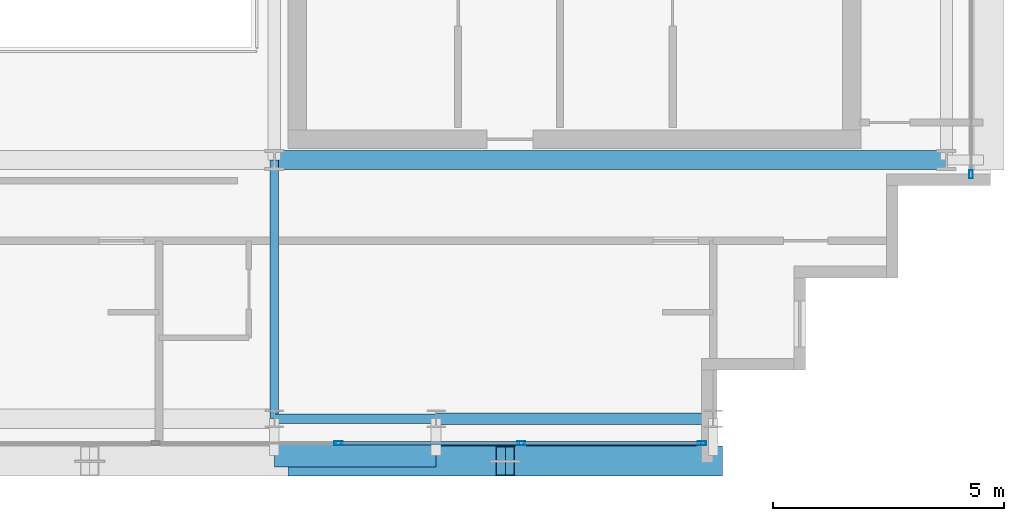
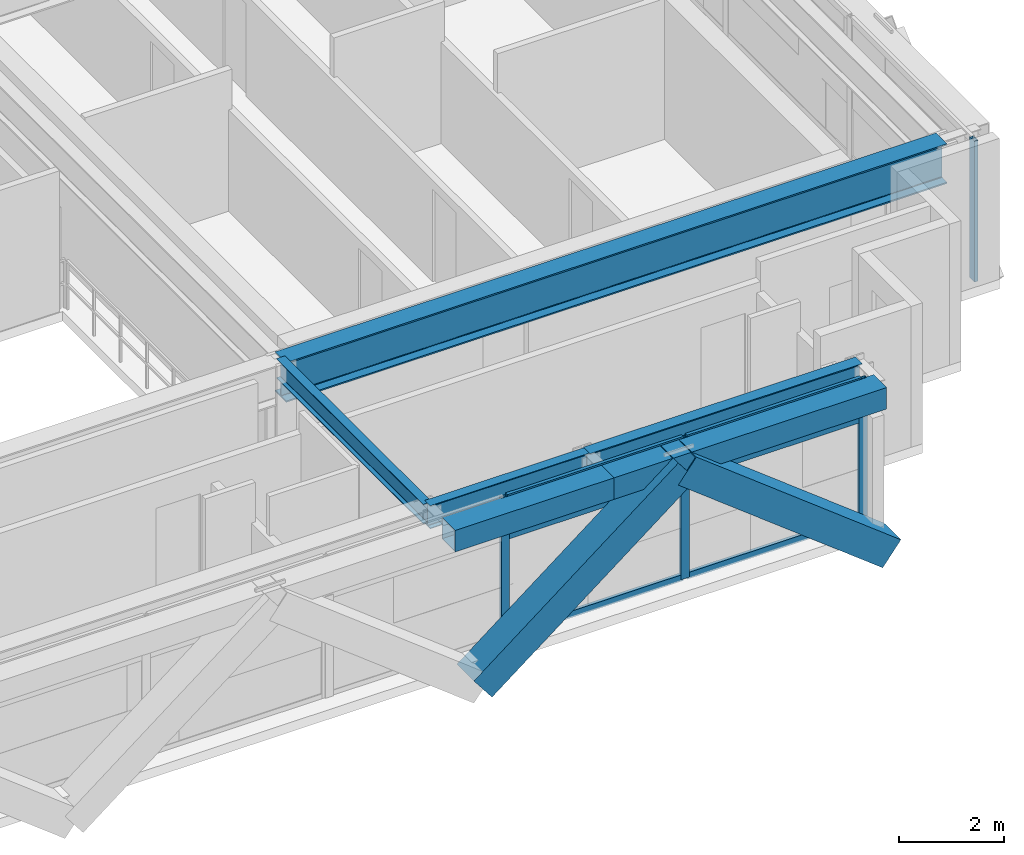
# One storey, part 9 of 28: 12 members, 6 beams, 2 elements without a shape of their own.
"""IFC4 building model written with IfcOpenShell, lengths in metres."""

import ifcopenshell
import ifcopenshell.guid

model = None  # the IFC model being written
_history = None  # IfcOwnerHistory: only IFC2X3 demands one
_inside = {}  # id of a spatial element -> (the spatial element, [elements in it])
_under = {}  # id of a project, library or spatial element -> (it, [spatial elements below it])
_declared = {}  # id of a project -> (the project, [libraries it declares])
_typed = {}  # id of a type object -> (the type object, [elements of that type])
_made_of = {}  # id of a material, layer set ... -> (it, [elements and type objects made of it])


def new_model(schema):
    """Start an empty IFC model of exactly this schema.

    Asked for "IFC4X3", IfcOpenShell would pick the latest addendum, in which some entities
    have other attributes; the version numbers below select the first issue.
    IFC2X3 requires an IfcOwnerHistory on every rooted entity: one is made here for all.
    """
    global model, _history
    if schema == "IFC4X3":
        model = ifcopenshell.file(schema_version=(4, 3, 0, 0))
    else:
        model = ifcopenshell.file(schema=schema)
    _inside.clear()
    _under.clear()
    _declared.clear()
    _typed.clear()
    _made_of.clear()
    _history = None
    if model.schema == "IFC2X3":
        org = make("IfcOrganization", Name="unknown")
        user = make(
            "IfcPersonAndOrganization",
            ThePerson=make("IfcPerson", FamilyName="unknown"),
            TheOrganization=org,
        )
        app = make(
            "IfcApplication",
            ApplicationDeveloper=org,
            Version="unknown",
            ApplicationFullName="unknown",
            ApplicationIdentifier="unknown",
        )
        _history = make(
            "IfcOwnerHistory",
            OwningUser=user,
            OwningApplication=app,
            ChangeAction="ADDED",
            CreationDate=0,
        )
    return model


def make(cls, **values):
    """One entity of the class cls with the attributes given. An attribute that is None is left unset."""
    return model.create_entity(
        cls, **{name: value for name, value in values.items() if value is not None}
    )


def rooted(cls, **values):
    """An entity with a GlobalId (a new one), such as an element, a storey or a relation."""
    return make(cls, GlobalId=ifcopenshell.guid.new(), OwnerHistory=_history, **values)


def si_unit(unit_type, name, prefix=None):
    """IfcSIUnit, for example si_unit("LENGTHUNIT", "METRE", prefix="MILLI")."""
    return make("IfcSIUnit", UnitType=unit_type, Prefix=prefix, Name=name)


def assignment(units):
    """IfcUnitAssignment: the units of a project."""
    return None if units is None else make("IfcUnitAssignment", Units=units)


def point(xyz):
    """IfcCartesianPoint."""
    return None if xyz is None else make("IfcCartesianPoint", Coordinates=xyz)


def direction(xyz):
    """IfcDirection."""
    return None if xyz is None else make("IfcDirection", DirectionRatios=xyz)


def frame(location, z_axis=None, x_axis=None):
    """IfcAxis2Placement3D, a coordinate frame: its origin and axes. An axis left out is left unset."""
    return make(
        "IfcAxis2Placement3D",
        Location=point(location),
        Axis=direction(z_axis),
        RefDirection=direction(x_axis),
    )


def frame_2d(location, x_axis=None):
    """IfcAxis2Placement2D, a coordinate frame in the plane: its origin and x axis."""
    return make(
        "IfcAxis2Placement2D", Location=point(location), RefDirection=direction(x_axis)
    )


def origin():
    """The frame at (0, 0, 0) with its axes left unset."""
    return frame((0.0, 0.0, 0.0))


def origin_2d():
    """The frame at (0, 0) in the plane with its x axis left unset."""
    return frame_2d((0.0, 0.0))


def place(relative_to, where):
    """IfcLocalPlacement: puts the frame where relative to a parent placement (None: the world)."""
    return make(
        "IfcLocalPlacement", PlacementRelTo=relative_to, RelativePlacement=where
    )


def context(
    kind, dimensions, precision=None, world=None, true_north=None, identifier=None
):
    """IfcGeometricRepresentationContext, for example the 3D "Model" context."""
    return make(
        "IfcGeometricRepresentationContext",
        ContextIdentifier=identifier,
        ContextType=kind,
        CoordinateSpaceDimension=dimensions,
        Precision=precision,
        WorldCoordinateSystem=world,
        TrueNorth=true_north,
    )


def subcontext(parent, identifier, kind, view, scale=None):
    """IfcGeometricRepresentationSubContext, for example "Body" below "Model"."""
    return make(
        "IfcGeometricRepresentationSubContext",
        ContextIdentifier=identifier,
        ContextType=kind,
        ParentContext=parent,
        TargetScale=scale,
        TargetView=view,
    )


def project(units=None, contexts=None):
    """IfcProject with its units and contexts."""
    return rooted(
        "IfcProject",
        Name="project",
        RepresentationContexts=contexts,
        UnitsInContext=assignment(units),
    )


def spatial(cls, under=None, at=None, **own):
    """A site, building, storey or space (cls), placed at a placement, below another one or the project."""
    s = rooted(cls, ObjectPlacement=at, **own)
    if under is not None:
        _under.setdefault(under.id(), (under, []))[1].append(s)
    return s


def profile(cls, at=None, kind="AREA", **sizes):
    """A parametric profile (cls). Its sizes go by their IFC names, for example OverallWidth=200.0."""
    return make(cls, ProfileType=kind, Position=at, **sizes)


def hollow_rectangle(**sizes):
    """IfcRectangleHollowProfileDef."""
    return profile("IfcRectangleHollowProfileDef", **sizes)


def i_section(**sizes):
    """IfcIShapeProfileDef."""
    return profile("IfcIShapeProfileDef", **sizes)


def extrude(swept, where, along, depth):
    """IfcExtrudedAreaSolid: the profile swept, set in the frame where, extruded along a direction by depth."""
    return make(
        "IfcExtrudedAreaSolid",
        SweptArea=swept,
        Position=where,
        ExtrudedDirection=direction(along),
        Depth=depth,
    )


def shape(context_of_items, identifier, shape_type, items):
    """IfcShapeRepresentation: the items that make up one representation, for example the "Body"."""
    return make(
        "IfcShapeRepresentation",
        ContextOfItems=context_of_items,
        RepresentationIdentifier=identifier,
        RepresentationType=shape_type,
        Items=items,
    )


def source(mapping_origin, context_of_items, identifier, shape_type, items):
    """IfcRepresentationMap: a shape defined once, which mapped items show again and again."""
    return make(
        "IfcRepresentationMap",
        MappingOrigin=mapping_origin,
        MappedRepresentation=shape(context_of_items, identifier, shape_type, items),
    )


def transform(
    local_origin,
    x_axis=None,
    y_axis=None,
    z_axis=None,
    scale=None,
    scale2=None,
    scale3=None,
    uniform=True,
):
    """IfcCartesianTransformationOperator3D, or its non-uniform kind. x_axis, y_axis, z_axis: its Axis1, 2, 3."""
    if uniform:
        return make(
            "IfcCartesianTransformationOperator3D",
            Axis1=direction(x_axis),
            Axis2=direction(y_axis),
            LocalOrigin=point(local_origin),
            Scale=scale,
            Axis3=direction(z_axis),
        )
    return make(
        "IfcCartesianTransformationOperator3DnonUniform",
        Axis1=direction(x_axis),
        Axis2=direction(y_axis),
        LocalOrigin=point(local_origin),
        Scale=scale,
        Axis3=direction(z_axis),
        Scale2=scale2,
        Scale3=scale3,
    )


def mapped(mapping_source, mapping_target):
    """IfcMappedItem: shows the shape of a source again, moved by a transform."""
    return make(
        "IfcMappedItem", MappingSource=mapping_source, MappingTarget=mapping_target
    )


def material(Name=None, Category=None):
    """IfcMaterial."""
    return make("IfcMaterial", Name=Name, Category=Category)


def layer(
    of_material, thickness, ventilated=None, Name=None, Category=None, Priority=None
):
    """IfcMaterialLayer: one layer of a wall or slab, of a material (None: an air gap)."""
    return make(
        "IfcMaterialLayer",
        Material=of_material,
        LayerThickness=thickness,
        IsVentilated=ventilated,
        Name=Name,
        Category=Category,
        Priority=Priority,
    )


def layer_set(layers, Name=None):
    """IfcMaterialLayerSet."""
    return make("IfcMaterialLayerSet", MaterialLayers=layers, LayerSetName=Name)


def material_profile(
    of_material, cross_section, Name=None, Category=None, Priority=None
):
    """IfcMaterialProfile: a cross section and its material."""
    return make(
        "IfcMaterialProfile",
        Name=Name,
        Material=of_material,
        Profile=cross_section,
        Priority=Priority,
        Category=Category,
    )


def profile_set(profiles, Name=None, composite=None):
    """IfcMaterialProfileSet."""
    return make(
        "IfcMaterialProfileSet",
        Name=Name,
        MaterialProfiles=profiles,
        CompositeProfile=composite,
    )


def made_of(thing, what):
    """Note that an element or type object is made of a material, layer set ...; save() writes the relation."""
    if what is not None:
        _made_of.setdefault(what.id(), (what, []))[1].append(thing)
    return thing


def type_object(cls, material=None, **own):
    """A type object (cls), such as IfcWallType, which elements share."""
    return made_of(rooted(cls, **own), material)


def element(
    cls,
    number,
    at=None,
    inside=None,
    cuts=None,
    type_object=None,
    material=None,
    context=None,
    identifier="Body",
    shape_type=None,
    held_by="IfcProductDefinitionShape",
    body=None,
    shapes=None,
    **own,
):
    """One element of the class cls, such as IfcWall. Its Tag is "e" and its number.

    at: its placement. inside: the storey or other place that contains it. cuts: it is an
    opening in that element (IfcRelVoidsElement). A single representation is given by context,
    identifier, shape_type and body (its items); several are given by shapes. held_by: the class
    of the entity that holds the representations. save() writes the other relations.
    """
    e = rooted(cls, Tag="e%d" % number, ObjectPlacement=at, **own)
    if body is not None:
        shapes = [shape(context, identifier, shape_type, body)]
    if shapes is not None:
        e.Representation = make(held_by, Representations=shapes)
    if inside is not None:
        _inside.setdefault(inside.id(), (inside, []))[1].append(e)
    if cuts is not None:
        rooted(
            "IfcRelVoidsElement", RelatingBuildingElement=cuts, RelatedOpeningElement=e
        )
    if type_object is not None:
        _typed.setdefault(type_object.id(), (type_object, []))[1].append(e)
    return made_of(e, material)


def aggregate(whole, parts):
    """IfcRelAggregates: a whole, such as a stair, and the parts it consists of."""
    return rooted("IfcRelAggregates", RelatingObject=whole, RelatedObjects=parts)


def save(model, path):
    """Write the relations noted so far, then the file.

    IfcRelAggregates (storeys below a building ...), IfcRelContainedInSpatialStructure (elements
    in a storey), IfcRelDefinesByType, IfcRelAssociatesMaterial and IfcRelDeclares: one each for
    every whole, place, type object, material and project.
    """
    for whole, parts in _under.values():
        aggregate(whole, parts)
    for where, things in _inside.values():
        rooted(
            "IfcRelContainedInSpatialStructure",
            RelatedElements=things,
            RelatingStructure=where,
        )
    for kind, things in _typed.values():
        rooted("IfcRelDefinesByType", RelatedObjects=things, RelatingType=kind)
    for what, things in _made_of.values():
        rooted("IfcRelAssociatesMaterial", RelatedObjects=things, RelatingMaterial=what)
    for by, libraries in _declared.values():
        rooted("IfcRelDeclares", RelatingContext=by, RelatedDefinitions=libraries)
    model.write(path)


model = new_model("IFC4")

# Units and contexts
model_context = context("Model", 3, precision=1e-05, world=origin(), true_north=direction((0.0, 1.0)))
body_context = subcontext(model_context, "Body", "Model", "MODEL_VIEW")
ifc_project = project(units=[si_unit("LENGTHUNIT", "METRE"), si_unit("AREAUNIT", "SQUARE_METRE"), si_unit("VOLUMEUNIT", "CUBIC_METRE"), si_unit("PLANEANGLEUNIT", "RADIAN"), si_unit("MASSUNIT", "GRAM", prefix="KILO")], contexts=[model_context])

# Site, building, storey
site_placement = place(None, origin())
site = spatial("IfcSite", under=ifc_project, at=site_placement, CompositionType="ELEMENT")
building_placement = place(site_placement, origin())
building = spatial("IfcBuilding", under=site, at=building_placement, Name="Ocotamira Hotel", CompositionType="ELEMENT")
storey_placement = place(building_placement, frame((0.0, 0.0, 243.60009765625)))
storey = spatial("IfcBuildingStorey", under=building, at=storey_placement, Name="L61", CompositionType="ELEMENT", Elevation=243.60009765625)

# Beams
ifc_material_1 = material(Name="Steel ASTM A992 Grade 50", Category="steel")
ifc_material_profile_1 = material_profile(ifc_material_1, i_section(OverallWidth=0.41796875, OverallDepth=0.927001953125, WebThickness=0.019287109375, FlangeThickness=0.031982421875, FilletRadius=0.02392578125, at=origin_2d()), Name="W36X231")
ifc_profile_set_1 = profile_set([ifc_material_profile_1], Name="Steel ASTM A992 Grade 50")
beam_type_1 = type_object("IfcBeamType", Name="BM-GIRD-W36X231", PredefinedType="BEAM", material=ifc_profile_set_1)
shared_shape_1 = source(origin(), body_context, "Body", "SweptSolid", [
    extrude(i_section(OverallWidth=0.41796875, OverallDepth=0.927001953125, WebThickness=0.019287109375, FlangeThickness=0.031982421875, FilletRadius=0.02392578125, at=origin_2d()), origin(), (0.0, 0.0, 1.0), 14.550048828125),
])
beam_1_placement = place(storey_placement, frame((40.5, 14.550048828125, 2.81640625), z_axis=(1.0, 0.0, 0.0), x_axis=(0.0, 1.0, 0.0)))
element("IfcBeam", 1, at=beam_1_placement, inside=storey, type_object=beam_type_1, Name="L61 Girder Y14.55 X40.5-55.05", PredefinedType="BEAM", context=body_context, shape_type="MappedRepresentation", body=[
    mapped(shared_shape_1, transform((0.0, 0.0, 0.0), scale=1.0)),
])
ifc_material_profile_2 = material_profile(ifc_material_1, i_section(OverallWidth=0.256103515625, OverallDepth=0.693115234375, WebThickness=0.014404296875, FlangeThickness=0.023681640625, FilletRadius=0.01611328125, at=origin_2d()), Name="W27X114")
ifc_profile_set_2 = profile_set([ifc_material_profile_2], Name="Steel ASTM A992 Grade 50")
beam_type_2 = type_object("IfcBeamType", Name="BM-PRIM-W27X114", PredefinedType="BEAM", material=ifc_profile_set_2)
shared_shape_2 = source(origin(), body_context, "Body", "SweptSolid", [
    extrude(i_section(OverallWidth=0.256103515625, OverallDepth=0.693115234375, WebThickness=0.014404296875, FlangeThickness=0.023681640625, FilletRadius=0.01611328125, at=origin_2d()), origin(), (0.0, 0.0, 1.0), 6.0),
])
beam_2_placement = place(storey_placement, frame((44.0, 8.949951171875, 2.933349609375), z_axis=(1.0, 0.0, 0.0), x_axis=(0.0, 1.0, 0.0)))
element("IfcBeam", 2, at=beam_2_placement, inside=storey, type_object=beam_type_2, Name="L61 Girder Y8.95 X44-50", PredefinedType="BEAM", context=body_context, shape_type="MappedRepresentation", body=[
    mapped(shared_shape_2, transform((0.0, 0.0, 0.0), scale=1.0)),
])
ifc_material_profile_3 = material_profile(ifc_material_1, i_section(OverallWidth=0.2099609375, OverallDepth=0.537109375, WebThickness=0.010986328125, FlangeThickness=0.017333984375, FilletRadius=0.012939453125, at=origin_2d()), Name="W21X68")
ifc_profile_set_3 = profile_set([ifc_material_profile_3], Name="Steel ASTM A992 Grade 50")
beam_type_3 = type_object("IfcBeamType", Name="BM-SEC-W21X68", PredefinedType="JOIST", material=ifc_profile_set_3)
shared_shape_3 = source(origin(), body_context, "Body", "SweptSolid", [
    extrude(i_section(OverallWidth=0.2099609375, OverallDepth=0.537109375, WebThickness=0.010986328125, FlangeThickness=0.017333984375, FilletRadius=0.012939453125, at=origin_2d()), origin(), (0.0, 0.0, 1.0), 3.5),
])
beam_3_placement = place(storey_placement, frame((40.5, 8.949951171875, 3.011474609375), z_axis=(1.0, 0.0, 0.0), x_axis=(0.0, 1.0, 0.0)))
element("IfcBeam", 3, at=beam_3_placement, inside=storey, type_object=beam_type_3, Name="L61 Girder Y8.95 X40.5-44", PredefinedType="JOIST", context=body_context, shape_type="MappedRepresentation", body=[
    mapped(shared_shape_3, transform((0.0, 0.0, 0.0), scale=1.0)),
])
ifc_material_2 = material(Name="Steel ASTM A500 Grade C", Category="steel")
ifc_material_profile_4 = material_profile(ifc_material_2, hollow_rectangle(XDim=0.5, YDim=0.5, WallThickness=0.02001953125, at=origin_2d()), Name="HSS500X500X20")
ifc_profile_set_4 = profile_set([ifc_material_profile_4], Name="Steel ASTM A500 Grade C")
beam_type_4 = type_object("IfcBeamType", Name="BM-SPAN-HSS500", PredefinedType="USERDEFINED", material=ifc_profile_set_4)
shared_shape_4 = source(origin(), body_context, "Body", "SweptSolid", [
    extrude(hollow_rectangle(XDim=0.5, YDim=0.5, WallThickness=0.02001953125, at=origin_2d()), origin(), (0.0, 0.0, 1.0), 6.0),
])
beam_4_placement = place(storey_placement, frame((44.0, 8.14990234375, 3.02978515625), z_axis=(1.0, 0.0, 0.0), x_axis=(0.0, 1.0, 0.0)))
element("IfcBeam", 4, at=beam_4_placement, inside=storey, type_object=beam_type_4, Name="L61 Edge Spandrel S X44-50", ObjectType="SPANDREL", PredefinedType="USERDEFINED", context=body_context, shape_type="MappedRepresentation", body=[
    mapped(shared_shape_4, transform((0.0, 0.0, 0.0), scale=1.0)),
])
shared_shape_5 = source(origin(), body_context, "Body", "SweptSolid", [
    extrude(hollow_rectangle(XDim=0.5, YDim=0.5, WallThickness=0.02001953125, at=origin_2d()), origin(), (0.0, 0.0, 1.0), 3.5),
])
beam_5_placement = place(storey_placement, frame((40.5, 8.14990234375, 3.02978515625), z_axis=(1.0, 0.0, 0.0), x_axis=(0.0, 1.0, 0.0)))
element("IfcBeam", 5, at=beam_5_placement, inside=storey, type_object=beam_type_4, Name="L61 Edge Spandrel S X40.5-44", ObjectType="SPANDREL", PredefinedType="USERDEFINED", context=body_context, shape_type="MappedRepresentation", body=[
    mapped(shared_shape_5, transform((0.0, 0.0, 0.0), scale=1.0)),
])
ifc_material_profile_5 = material_profile(ifc_material_1, i_section(OverallWidth=0.18994140625, OverallDepth=0.45703125, WebThickness=0.009033203125, FlangeThickness=0.014404296875, FilletRadius=0.010009765625, at=origin_2d()), Name="W18X50")
ifc_profile_set_5 = profile_set([ifc_material_profile_5], Name="Steel ASTM A992 Grade 50")
beam_type_5 = type_object("IfcBeamType", Name="BM-SEC-W18X50", PredefinedType="JOIST", material=ifc_profile_set_5)
shared_shape_6 = source(origin(), body_context, "Body", "SweptSolid", [
    extrude(i_section(OverallWidth=0.18994140625, OverallDepth=0.45703125, WebThickness=0.009033203125, FlangeThickness=0.014404296875, FilletRadius=0.010009765625, at=origin_2d()), origin(), (0.0, 0.0, 1.0), 5.60009765625),
])
beam_6_placement = place(storey_placement, frame((40.5, 8.949951171875, 3.051513671875), z_axis=(0.0, 1.0, 0.0), x_axis=(-1.0, 0.0, 0.0)))
element("IfcBeam", 6, at=beam_6_placement, inside=storey, type_object=beam_type_5, Name="L61 Beam X40.5 Y8.95-14.55", PredefinedType="JOIST", context=body_context, shape_type="MappedRepresentation", body=[
    mapped(shared_shape_6, transform((0.0, 0.0, 0.0), scale=1.0)),
])

# Members
ifc_material_3 = material(Name="Pale-metal coated steel ASTM A913 Grade 65", Category="steel")
ifc_material_profile_6 = material_profile(ifc_material_3, hollow_rectangle(XDim=0.64990234375, YDim=0.64990234375, WallThickness=0.02197265625, at=origin_2d()), Name="BOX650X650X22")
ifc_profile_set_6 = profile_set([ifc_material_profile_6], Name="Pale-metal coated steel ASTM A913 Grade 65")
member_type_1 = type_object("IfcMemberType", Name="MEM-EXO-BOX650", PredefinedType="BRACE", material=ifc_profile_set_6)
shared_shape_7 = source(origin(), body_context, "Body", "SweptSolid", [
    extrude(hollow_rectangle(XDim=0.64990234375, YDim=0.64990234375, WallThickness=0.02197265625, at=origin_2d()), origin(), (0.0, 0.0, 1.0), 5.700927734375),
])
for number, where, z_axis, x_axis, name in (
    (7, (41.0, 8.030029296875, -0.47021484375), (0.789352217376, 0.0, 0.613940613515), (0.0, 1.0, 0.0), "L61 Exoskeleton Diagrid S3.1"),
    (8, (50.0, 8.030029296875, -0.47021484375), (-0.789352217376, 0.0, 0.613940613515), (0.0, -1.0, 0.0), "L61 Exoskeleton Diagrid S3.2"),
):
    element("IfcMember", number, at=place(storey_placement, frame(where, z_axis=z_axis, x_axis=x_axis)), inside=storey, type_object=member_type_1, Name=name, PredefinedType="BRACE", context=body_context, shape_type="MappedRepresentation", body=[
        mapped(shared_shape_7, transform((0.0, 0.0, 0.0), scale=1.0)),
    ])

# Curtain wall, members
ifc_material_4 = material(Name="Anodised pale-metal aluminium and solar glass", Category="aluminium")
ifc_layer = layer(ifc_material_4, 0.239990234375)
ifc_layer_set = layer_set([ifc_layer], Name="Anodised pale-metal aluminium and solar glass")
curtain_wall_type = type_object("IfcCurtainWallType", Name="CW-SYS5-SKY", PredefinedType="NOTDEFINED", material=ifc_layer_set)
curtain_wall_1_placement = place(storey_placement, origin())
curtain_wall_1 = element("IfcCurtainWall", 9, at=curtain_wall_1_placement, inside=storey, type_object=curtain_wall_type, Name="L61 Curtain Wall CW-5 CW-L61-S1", PredefinedType="NOTDEFINED")
ifc_material_5 = material(Name="Anodised pale-metal aluminium 6063-T6", Category="aluminium")
ifc_material_profile_7 = material_profile(ifc_material_5, hollow_rectangle(XDim=0.074951171875, YDim=0.14990234375, WallThickness=0.006103515625, at=origin_2d()), Name="HSS150X75X6")
ifc_profile_set_7 = profile_set([ifc_material_profile_7], Name="Anodised pale-metal aluminium 6063-T6")
member_type_2 = type_object("IfcMemberType", Name="CWT-150X75", PredefinedType="USERDEFINED", material=ifc_profile_set_7)
shared_shape_8 = source(origin(), body_context, "Body", "SweptSolid", [
    extrude(hollow_rectangle(XDim=0.074951171875, YDim=0.14990234375, WallThickness=0.006103515625, at=origin_2d()), origin(), (0.0, 0.0, 1.0), 3.83544921875),
])
member_1_placement = place(storey_placement, frame((45.884521484375, 8.419921875, 0.037353515625), z_axis=(1.0, 0.0, 0.0), x_axis=(0.0, 1.0, 0.0)))
member_1 = element("IfcMember", 10, at=member_1_placement, type_object=member_type_2, Name="CW-5 transom 9.1", ObjectType="TRANSOM", PredefinedType="USERDEFINED", context=body_context, shape_type="MappedRepresentation", body=[
    mapped(shared_shape_8, transform((0.0, 0.0, 0.0), scale=1.0)),
])
member_2_placement = place(storey_placement, frame((45.884521484375, 8.419921875, 2.349853515625), z_axis=(1.0, 0.0, 0.0), x_axis=(0.0, 1.0, 0.0)))
member_2 = element("IfcMember", 11, at=member_2_placement, type_object=member_type_2, Name="CW-5 transom 9.2", ObjectType="TRANSOM", PredefinedType="USERDEFINED", context=body_context, shape_type="MappedRepresentation", body=[
    mapped(shared_shape_8, transform((0.0, 0.0, 0.0), scale=1.0)),
])
member_3_placement = place(storey_placement, frame((45.884521484375, 8.419921875, 3.242431640625), z_axis=(1.0, 0.0, 0.0), x_axis=(0.0, 1.0, 0.0)))
member_3 = element("IfcMember", 12, at=member_3_placement, type_object=member_type_2, Name="CW-5 transom 9.3", ObjectType="TRANSOM", PredefinedType="USERDEFINED", context=body_context, shape_type="MappedRepresentation", body=[
    mapped(shared_shape_8, transform((0.0, 0.0, 0.0), scale=1.0)),
])
shared_shape_9 = source(origin(), body_context, "Body", "SweptSolid", [
    extrude(hollow_rectangle(XDim=0.074951171875, YDim=0.14990234375, WallThickness=0.006103515625, at=origin_2d()), origin(), (0.0, 0.0, 1.0), 3.87548828125),
])
member_4_placement = place(storey_placement, frame((41.928955078125, 8.419921875, 0.037353515625), z_axis=(1.0, 0.0, 0.0), x_axis=(0.0, 1.0, 0.0)))
member_4 = element("IfcMember", 13, at=member_4_placement, type_object=member_type_2, Name="CW-5 transom 8.1", ObjectType="TRANSOM", PredefinedType="USERDEFINED", context=body_context, shape_type="MappedRepresentation", body=[
    mapped(shared_shape_9, transform((0.0, 0.0, 0.0), scale=1.0)),
])
member_5_placement = place(storey_placement, frame((41.928955078125, 8.419921875, 2.349853515625), z_axis=(1.0, 0.0, 0.0), x_axis=(0.0, 1.0, 0.0)))
member_5 = element("IfcMember", 14, at=member_5_placement, type_object=member_type_2, Name="CW-5 transom 8.2", ObjectType="TRANSOM", PredefinedType="USERDEFINED", context=body_context, shape_type="MappedRepresentation", body=[
    mapped(shared_shape_9, transform((0.0, 0.0, 0.0), scale=1.0)),
])
member_6_placement = place(storey_placement, frame((41.928955078125, 8.419921875, 3.242431640625), z_axis=(1.0, 0.0, 0.0), x_axis=(0.0, 1.0, 0.0)))
member_6 = element("IfcMember", 15, at=member_6_placement, type_object=member_type_2, Name="CW-5 transom 8.3", ObjectType="TRANSOM", PredefinedType="USERDEFINED", context=body_context, shape_type="MappedRepresentation", body=[
    mapped(shared_shape_9, transform((0.0, 0.0, 0.0), scale=1.0)),
])
ifc_material_profile_8 = material_profile(ifc_material_5, hollow_rectangle(XDim=0.080078125, YDim=0.179931640625, WallThickness=0.006103515625, at=origin_2d()), Name="HSS180X80X6")
ifc_profile_set_8 = profile_set([ifc_material_profile_8], Name="Anodised pale-metal aluminium 6063-T6")
member_type_3 = type_object("IfcMemberType", Name="CWM-180X75", PredefinedType="MULLION", material=ifc_profile_set_8)
shared_shape_10 = source(origin(), body_context, "Body", "SweptSolid", [
    extrude(hollow_rectangle(XDim=0.080078125, YDim=0.179931640625, WallThickness=0.006103515625, at=origin_2d()), origin(), (0.0, 0.0, 1.0), 3.27978515625),
])
member_7_placement = place(storey_placement, frame((41.888916015625, 8.419921875, 0.0), z_axis=(0.0, 0.0, 1.0), x_axis=(0.0, 1.0, 0.0)))
member_7 = element("IfcMember", 16, at=member_7_placement, type_object=member_type_3, Name="CW-5 mullion 8", PredefinedType="MULLION", context=body_context, shape_type="MappedRepresentation", body=[
    mapped(shared_shape_10, transform((0.0, 0.0, 0.0), scale=1.0)),
])
member_8_placement = place(storey_placement, frame((45.844482421875, 8.419921875, 0.0), z_axis=(0.0, 0.0, 1.0), x_axis=(0.0, 1.0, 0.0)))
member_8 = element("IfcMember", 17, at=member_8_placement, type_object=member_type_3, Name="CW-5 mullion 9", PredefinedType="MULLION", context=body_context, shape_type="MappedRepresentation", body=[
    mapped(shared_shape_10, transform((0.0, 0.0, 0.0), scale=1.0)),
])
member_9_placement = place(storey_placement, frame((49.760009765625, 8.419921875, 0.0), z_axis=(0.0, 0.0, 1.0), x_axis=(0.0, 1.0, 0.0)))
member_9 = element("IfcMember", 18, at=member_9_placement, type_object=member_type_3, Name="CW-5 mullion 10", PredefinedType="MULLION", context=body_context, shape_type="MappedRepresentation", body=[
    mapped(shared_shape_10, transform((0.0, 0.0, 0.0), scale=1.0)),
])
aggregate(curtain_wall_1, [member_7, member_8, member_9, member_4, member_5, member_6, member_1, member_2, member_3])

# Curtain wall, member
curtain_wall_2_placement = place(storey_placement, origin())
curtain_wall_2 = element("IfcCurtainWall", 19, at=curtain_wall_2_placement, inside=storey, type_object=curtain_wall_type, Name="L61 Curtain Wall CW-5 CW-L61-E", PredefinedType="NOTDEFINED")
member_10_placement = place(storey_placement, frame((55.580078125, 14.239990234375, 0.0), z_axis=(0.0, 0.0, 1.0), x_axis=(-1.0, 0.0, 0.0)))
member_10 = element("IfcMember", 20, at=member_10_placement, type_object=member_type_3, Name="CW-5 mullion 1", PredefinedType="MULLION", context=body_context, shape_type="MappedRepresentation", body=[
    mapped(shared_shape_10, transform((0.0, 0.0, 0.0), scale=1.0)),
])
aggregate(curtain_wall_2, [member_10])

save(model, "model.ifc")
